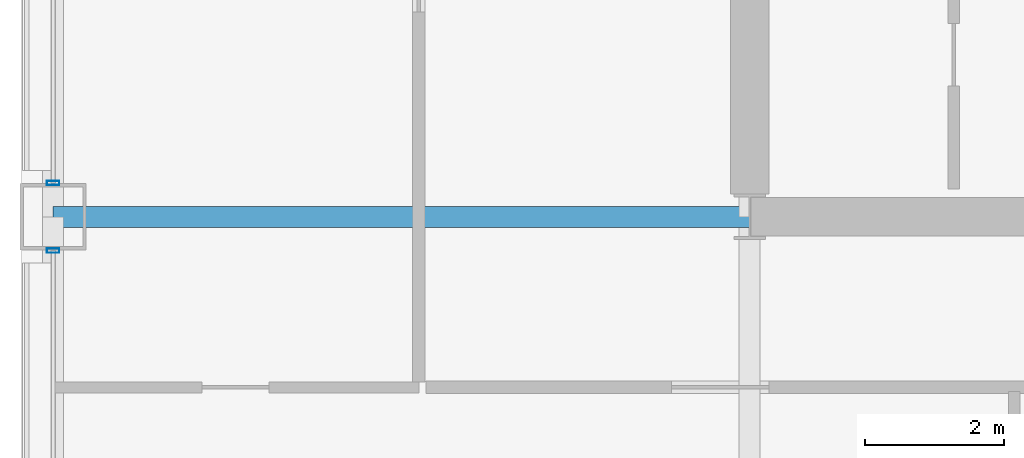
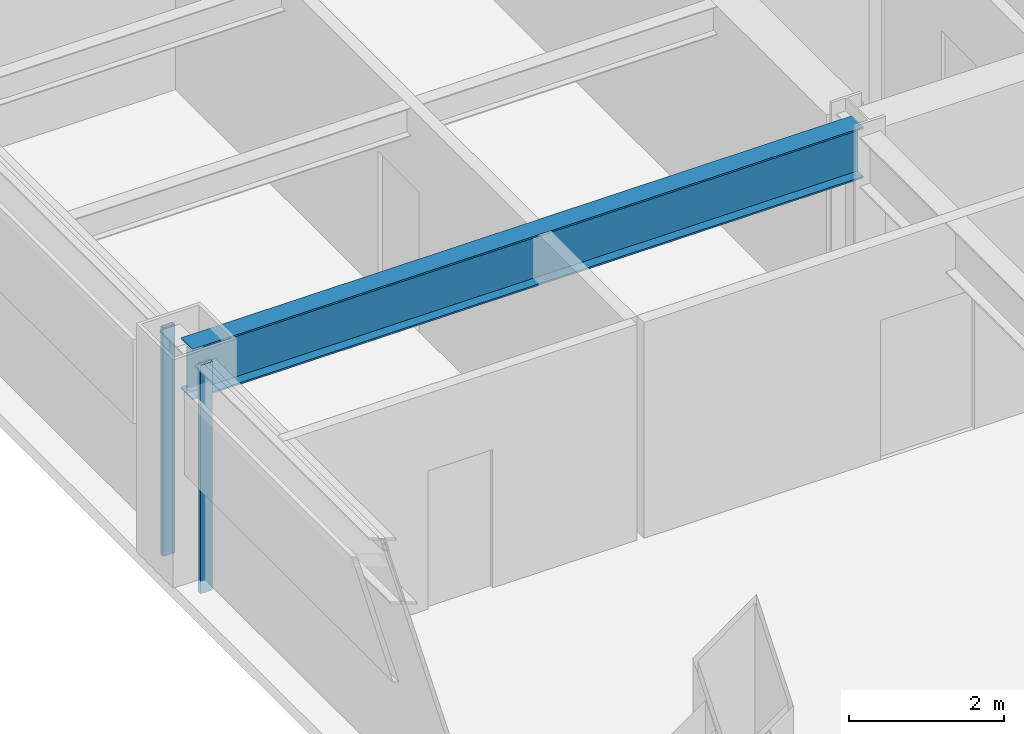
# One storey, part 4 of 28: 2 members, 1 beam, 2 elements without a shape of their own.
"""IFC4 building model written with IfcOpenShell, lengths in metres."""

from ifc_helpers import new_model, si_unit, direction, frame, origin, origin_2d, place, context, subcontext, project, spatial, hollow_rectangle, i_section, extrude, material, layer, layer_set, material_profile, profile_set, type_object, element, aggregate, save


model = new_model("IFC4")

# Units and contexts
model_context = context("Model", 3, precision=1e-05, world=origin(), true_north=direction((0.0, 1.0)))
body_context = subcontext(model_context, "Body", "Model", "MODEL_VIEW")
ifc_project = project(units=[si_unit("LENGTHUNIT", "METRE"), si_unit("AREAUNIT", "SQUARE_METRE"), si_unit("VOLUMEUNIT", "CUBIC_METRE"), si_unit("PLANEANGLEUNIT", "RADIAN"), si_unit("MASSUNIT", "GRAM", prefix="KILO")], contexts=[model_context])

# Site, building, storey
site_placement = place(None, origin())
site = spatial("IfcSite", under=ifc_project, at=site_placement, CompositionType="ELEMENT")
building_placement = place(site_placement, origin())
building = spatial("IfcBuilding", under=site, at=building_placement, Name="Brelmoor Portico Tower", CompositionType="ELEMENT")
storey_placement = place(building_placement, frame((0.0, 0.0, 49.199951171875)))
storey = spatial("IfcBuildingStorey", under=building, at=storey_placement, Name="L12", CompositionType="ELEMENT", Elevation=49.199951171875)

# Beam
ifc_material_1 = material(Name="Steel Q355B", Category="steel")
ifc_material_profile_1 = material_profile(ifc_material_1, i_section(OverallWidth=0.300048828125, OverallDepth=0.800048828125, WebThickness=0.013916015625, FlangeThickness=0.02587890625, at=origin_2d()), Name="HN 800x300x14x26")
ifc_profile_set_1 = profile_set([ifc_material_profile_1], Name="Steel Q355B")
beam_type = type_object("IfcBeamType", Name="BM-PG-800", PredefinedType="BEAM", material=ifc_profile_set_1)
beam_placement = place(storey_placement, frame((-24.550048828125, -9.75, 3.0), z_axis=(1.0, 0.0, 0.0), x_axis=(0.0, 1.0, 0.0)))
element("IfcBeam", 1, at=beam_placement, inside=storey, type_object=beam_type, Name="L12 Primary Floor Girder PG-19", PredefinedType="BEAM", context=body_context, shape_type="SweptSolid", body=[
    extrude(i_section(OverallWidth=0.300048828125, OverallDepth=0.800048828125, WebThickness=0.013916015625, FlangeThickness=0.02587890625, at=origin_2d()), origin(), (0.0, 0.0, 1.0), 10.0),
])

# Curtain wall, member
ifc_material_2 = material(Name="Anodised Aluminium Alloy 6063-T6", Category="aluminium")
ifc_layer = layer(ifc_material_2, 0.179931640625)
ifc_layer_set = layer_set([ifc_layer], Name="Anodised Aluminium Alloy 6063-T6")
curtain_wall_type = type_object("IfcCurtainWallType", Name="CW-TOWER-Z1-XB", PredefinedType="NOTDEFINED", material=ifc_layer_set)
curtain_wall_1_placement = place(storey_placement, origin())
curtain_wall_1 = element("IfcCurtainWall", 2, at=curtain_wall_1_placement, inside=storey, type_object=curtain_wall_type, Name="L12 Curtain Wall CW-L12-03-1", PredefinedType="NOTDEFINED")
ifc_material_profile_2 = material_profile(ifc_material_2, hollow_rectangle(XDim=0.06494140625, YDim=0.179931640625, WallThickness=0.00390625, at=origin_2d()), Name="ALU MULLION 65x180")
ifc_profile_set_2 = profile_set([ifc_material_profile_2], Name="Anodised Aluminium Alloy 6063-T6")
member_type = type_object("IfcMemberType", Name="MB-CW-MULL-180", PredefinedType="MULLION", material=ifc_profile_set_2)
member_1_placement = place(storey_placement, frame((-24.550048828125, -10.235107421875, -0.199951171875), z_axis=(0.0, 0.0, 1.0), x_axis=(0.0, 1.0, 0.0)))
member_1 = element("IfcMember", 3, at=member_1_placement, type_object=member_type, Name="CW-L12-03-1 Mullion 01", PredefinedType="MULLION", context=body_context, shape_type="SweptSolid", body=[
    extrude(hollow_rectangle(XDim=0.06494140625, YDim=0.179931640625, WallThickness=0.00390625, at=origin_2d()), origin(), (0.0, 0.0, 1.0), 3.60009765625),
])
aggregate(curtain_wall_1, [member_1])

curtain_wall_2_placement = place(storey_placement, origin())
curtain_wall_2 = element("IfcCurtainWall", 4, at=curtain_wall_2_placement, inside=storey, type_object=curtain_wall_type, Name="L12 Curtain Wall CW-L12-03-2", PredefinedType="NOTDEFINED")
member_2_placement = place(storey_placement, frame((-24.550048828125, -9.264892578125, -0.199951171875), z_axis=(0.0, 0.0, 1.0), x_axis=(0.0, 1.0, 0.0)))
member_2 = element("IfcMember", 5, at=member_2_placement, type_object=member_type, Name="CW-L12-03-2 Mullion 00", PredefinedType="MULLION", context=body_context, shape_type="SweptSolid", body=[
    extrude(hollow_rectangle(XDim=0.06494140625, YDim=0.179931640625, WallThickness=0.00390625, at=origin_2d()), origin(), (0.0, 0.0, 1.0), 3.60009765625),
])
aggregate(curtain_wall_2, [member_2])

save(model, "model.ifc")
